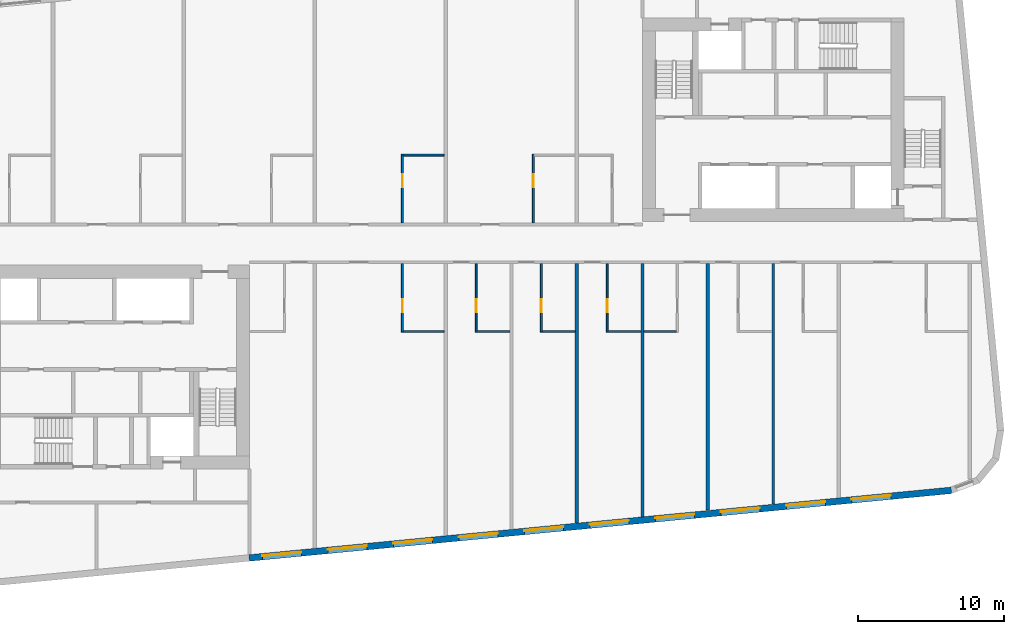
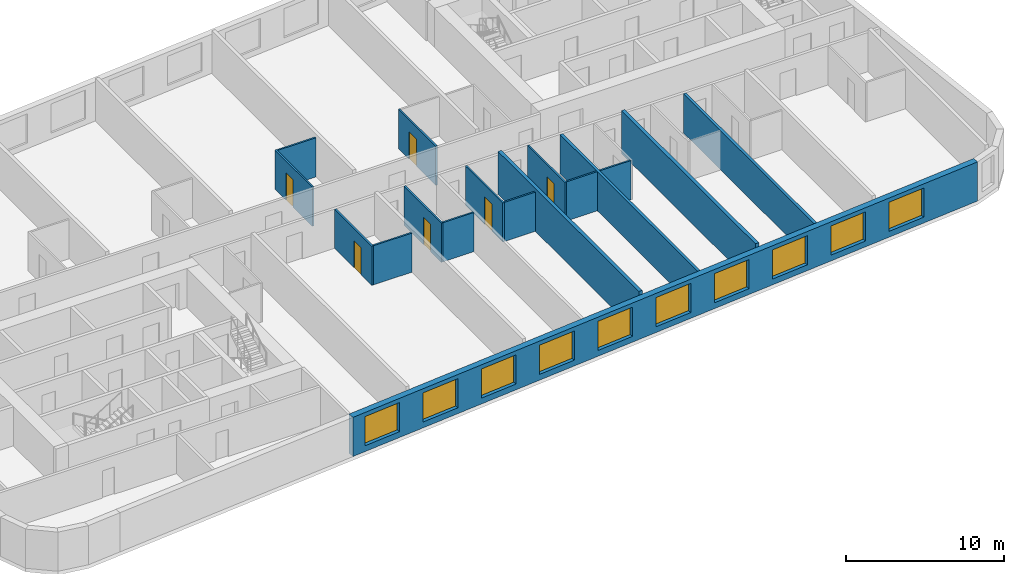
# One storey, part 4 of 11: 17 walls, 10 windows, 6 doors, 16 openings.
"""IFC4 building model written with IfcOpenShell, lengths in metres."""

from ifc_helpers import new_model, si_unit, direction, frame, frame_2d, origin, place, context, subcontext, project, spatial, rectangle, extrude, material, layer, layer_set, type_object, element, fill, save


model = new_model("IFC4")

# Units and contexts
model_context = context("Model", 3, precision=1e-05, world=origin(), true_north=direction((0.0, 1.0)))
body_context = subcontext(model_context, "Body", "Model", "MODEL_VIEW")
ifc_project = project(units=[si_unit("LENGTHUNIT", "METRE"), si_unit("AREAUNIT", "SQUARE_METRE"), si_unit("VOLUMEUNIT", "CUBIC_METRE"), si_unit("PLANEANGLEUNIT", "RADIAN"), si_unit("MASSUNIT", "GRAM", prefix="KILO")], contexts=[model_context])

# Site, building, storey
site_placement = place(None, origin())
site = spatial("IfcSite", under=ifc_project, at=site_placement, CompositionType="ELEMENT")
building_placement = place(site_placement, origin())
building = spatial("IfcBuilding", under=site, at=building_placement, Name="Kajstack Hotel Tower", CompositionType="ELEMENT")
storey_placement = place(building_placement, frame((0.0, 0.0, 281.699951171875)))
storey = spatial("IfcBuildingStorey", under=building, at=storey_placement, Name="L70", CompositionType="ELEMENT", Elevation=281.699951171875)

# Walls
ifc_material_1 = material(Name="Twin-frame gypsum board on steel studs, mineral wool", Category="steel")
ifc_layer_1 = layer(ifc_material_1, 0.199951171875)
ifc_layer_set_1 = layer_set([ifc_layer_1], Name="Demising wall 200")
wall_type_1 = type_object("IfcWallType", Name="Demising wall 200", PredefinedType="PARTITIONING", material=ifc_layer_set_1)
wall_1_placement = place(storey_placement, frame((13.5, -18.7958984375, 0.0), z_axis=(0.0, 0.0, 1.0), x_axis=(0.0, 1.0, 0.0)))
element("IfcWall", 1, at=wall_1_placement, inside=storey, type_object=wall_type_1, Name="G-wall-L70-028", PredefinedType="PARTITIONING", context=body_context, shape_type="SweptSolid", body=[
    extrude(rectangle(XDim=17.39599609375, YDim=0.199951171875, at=frame_2d((8.697998046875, 0.0))), origin(), (0.0, 0.0, 1.0), 3.02001953125),
])
wall_2_placement = place(storey_placement, frame((22.5, -17.928955078125, 0.0), z_axis=(0.0, 0.0, 1.0), x_axis=(0.0, 1.0, 0.0)))
element("IfcWall", 2, at=wall_2_placement, inside=storey, type_object=wall_type_1, Name="G-wall-L70-033", PredefinedType="PARTITIONING", context=body_context, shape_type="SweptSolid", body=[
    extrude(rectangle(XDim=16.529052734375, YDim=0.199951171875, at=frame_2d((8.2646484375, 0.0))), origin(), (0.0, 0.0, 1.0), 3.02001953125),
])

# Wall, openings, windows
ifc_material_2 = material(Name="Terracotta-faced brick masonry", Category="masonry")
ifc_layer_2 = layer(ifc_material_2, 0.449951171875)
ifc_layer_set_2 = layer_set([ifc_layer_2], Name="EW-TERRA")
wall_type_2 = type_object("IfcWallType", Name="EW-TERRA", PredefinedType="SOLIDWALL", material=ifc_layer_set_2)
wall_3_placement = place(storey_placement, frame((-13.521484375, -21.6240234375, 0.0), z_axis=(0.0, 0.0, 1.0), x_axis=(0.995396186218, 0.095845878695, 0.0)))
wall_3 = element("IfcWall", 3, at=wall_3_placement, inside=storey, type_object=wall_type_2, Name="E-wall-L70-04-02", PredefinedType="SOLIDWALL", context=body_context, shape_type="SweptSolid", body=[
    extrude(rectangle(XDim=48.481201171875, YDim=0.449951171875, at=frame_2d((24.24072265625, 0.0))), origin(), (0.0, 0.0, 1.0), 3.02001953125),
])
opening_1_placement = place(wall_3_placement, frame((0.910400390625, 0.0, 0.449951171875)))
opening_1 = element("IfcOpeningElement", 4, at=opening_1_placement, cuts=wall_3, Name="Opening W1", PredefinedType="OPENING", context=body_context, shape_type="SweptSolid", body=[
    extrude(rectangle(XDim=2.699951171875, YDim=2.25, at=frame_2d((1.35009765625, 1.125))), frame((0.0, 0.23486328125, 0.0), z_axis=(0.0, -1.0, 0.0), x_axis=(1.0, 0.0, 0.0)), (0.0, 0.0, 1.0), 0.469970703125),
])
opening_2_placement = place(wall_3_placement, frame((5.43115234375, 0.0, 0.449951171875)))
opening_2 = element("IfcOpeningElement", 5, at=opening_2_placement, cuts=wall_3, Name="Opening W1", PredefinedType="OPENING", context=body_context, shape_type="SweptSolid", body=[
    extrude(rectangle(XDim=2.699951171875, YDim=2.25, at=frame_2d((1.35009765625, 1.125))), frame((0.0, 0.23486328125, 0.0), z_axis=(0.0, -1.0, 0.0), x_axis=(1.0, 0.0, 0.0)), (0.0, 0.0, 1.0), 0.469970703125),
])
opening_3_placement = place(wall_3_placement, frame((9.951904296875, 0.0, 0.449951171875)))
opening_3 = element("IfcOpeningElement", 6, at=opening_3_placement, cuts=wall_3, Name="Opening W1", PredefinedType="OPENING", context=body_context, shape_type="SweptSolid", body=[
    extrude(rectangle(XDim=2.699951171875, YDim=2.25, at=frame_2d((1.35009765625, 1.125))), frame((0.0, 0.23486328125, 0.0), z_axis=(0.0, -1.0, 0.0), x_axis=(1.0, 0.0, 0.0)), (0.0, 0.0, 1.0), 0.469970703125),
])
opening_4_placement = place(wall_3_placement, frame((14.472900390625, 0.0, 0.449951171875)))
opening_4 = element("IfcOpeningElement", 7, at=opening_4_placement, cuts=wall_3, Name="Opening W1", PredefinedType="OPENING", context=body_context, shape_type="SweptSolid", body=[
    extrude(rectangle(XDim=2.699951171875, YDim=2.25, at=frame_2d((1.35009765625, 1.125))), frame((0.0, 0.23486328125, 0.0), z_axis=(0.0, -1.0, 0.0), x_axis=(1.0, 0.0, 0.0)), (0.0, 0.0, 1.0), 0.469970703125),
])
opening_5_placement = place(wall_3_placement, frame((18.99365234375, 0.0, 0.449951171875)))
opening_5 = element("IfcOpeningElement", 8, at=opening_5_placement, cuts=wall_3, Name="Opening W1", PredefinedType="OPENING", context=body_context, shape_type="SweptSolid", body=[
    extrude(rectangle(XDim=2.699951171875, YDim=2.25, at=frame_2d((1.35009765625, 1.125))), frame((0.0, 0.23486328125, 0.0), z_axis=(0.0, -1.0, 0.0), x_axis=(1.0, 0.0, 0.0)), (0.0, 0.0, 1.0), 0.469970703125),
])
opening_6_placement = place(wall_3_placement, frame((23.514404296875, 0.0, 0.449951171875)))
opening_6 = element("IfcOpeningElement", 9, at=opening_6_placement, cuts=wall_3, Name="Opening W1", PredefinedType="OPENING", context=body_context, shape_type="SweptSolid", body=[
    extrude(rectangle(XDim=2.699951171875, YDim=2.25, at=frame_2d((1.35009765625, 1.125))), frame((0.0, 0.23486328125, 0.0), z_axis=(0.0, -1.0, 0.0), x_axis=(1.0, 0.0, 0.0)), (0.0, 0.0, 1.0), 0.469970703125),
])
opening_7_placement = place(wall_3_placement, frame((28.03515625, 0.0, 0.449951171875)))
opening_7 = element("IfcOpeningElement", 10, at=opening_7_placement, cuts=wall_3, Name="Opening W1", PredefinedType="OPENING", context=body_context, shape_type="SweptSolid", body=[
    extrude(rectangle(XDim=2.699951171875, YDim=2.25, at=frame_2d((1.35009765625, 1.125))), frame((0.0, 0.23486328125, 0.0), z_axis=(0.0, -1.0, 0.0), x_axis=(1.0, 0.0, 0.0)), (0.0, 0.0, 1.0), 0.469970703125),
])
opening_8_placement = place(wall_3_placement, frame((32.55615234375, 0.0, 0.449951171875)))
opening_8 = element("IfcOpeningElement", 11, at=opening_8_placement, cuts=wall_3, Name="Opening W1", PredefinedType="OPENING", context=body_context, shape_type="SweptSolid", body=[
    extrude(rectangle(XDim=2.699951171875, YDim=2.25, at=frame_2d((1.35009765625, 1.125))), frame((0.0, 0.23486328125, 0.0), z_axis=(0.0, -1.0, 0.0), x_axis=(1.0, 0.0, 0.0)), (0.0, 0.0, 1.0), 0.469970703125),
])
opening_9_placement = place(wall_3_placement, frame((37.076904296875, 0.0, 0.449951171875)))
opening_9 = element("IfcOpeningElement", 12, at=opening_9_placement, cuts=wall_3, Name="Opening W1", PredefinedType="OPENING", context=body_context, shape_type="SweptSolid", body=[
    extrude(rectangle(XDim=2.699951171875, YDim=2.25, at=frame_2d((1.35009765625, 1.125))), frame((0.0, 0.23486328125, 0.0), z_axis=(0.0, -1.0, 0.0), x_axis=(1.0, 0.0, 0.0)), (0.0, 0.0, 1.0), 0.469970703125),
])
opening_10_placement = place(wall_3_placement, frame((41.59765625, 0.0, 0.449951171875)))
opening_10 = element("IfcOpeningElement", 13, at=opening_10_placement, cuts=wall_3, Name="Opening W1", PredefinedType="OPENING", context=body_context, shape_type="SweptSolid", body=[
    extrude(rectangle(XDim=2.699951171875, YDim=2.25, at=frame_2d((1.35009765625, 1.125))), frame((0.0, 0.23486328125, 0.0), z_axis=(0.0, -1.0, 0.0), x_axis=(1.0, 0.0, 0.0)), (0.0, 0.0, 1.0), 0.469970703125),
])
ifc_material_3 = material(Name="Timber-aluminium window, triple glazed", Category="wood")
window_type = type_object("IfcWindowType", Name="WG1", PartitioningType="SINGLE_PANEL", PredefinedType="WINDOW", material=ifc_material_3)
window_1_placement = place(opening_1_placement, origin())
window_1 = element("IfcWindow", 14, at=window_1_placement, inside=storey, type_object=window_type, Name="Window W1 L70-04", OverallHeight=2.25, OverallWidth=2.699951171875, PartitioningType="SINGLE_PANEL", PredefinedType="WINDOW", context=body_context, shape_type="SweptSolid", body=[
    extrude(rectangle(XDim=2.699951171875, YDim=2.25, at=frame_2d((1.35009765625, 1.125))), frame((0.0, 0.090087890625, 0.0), z_axis=(0.0, -1.0, 0.0), x_axis=(1.0, 0.0, 0.0)), (0.0, 0.0, 1.0), 0.06005859375),
])
fill(opening_1, window_1)
window_2_placement = place(opening_2_placement, origin())
window_2 = element("IfcWindow", 15, at=window_2_placement, inside=storey, type_object=window_type, Name="Window W1 L70-04", OverallHeight=2.25, OverallWidth=2.699951171875, PartitioningType="SINGLE_PANEL", PredefinedType="WINDOW", context=body_context, shape_type="SweptSolid", body=[
    extrude(rectangle(XDim=2.699951171875, YDim=2.25, at=frame_2d((1.35009765625, 1.125))), frame((0.0, 0.090087890625, 0.0), z_axis=(0.0, -1.0, 0.0), x_axis=(1.0, 0.0, 0.0)), (0.0, 0.0, 1.0), 0.06005859375),
])
fill(opening_2, window_2)
window_3_placement = place(opening_3_placement, origin())
window_3 = element("IfcWindow", 16, at=window_3_placement, inside=storey, type_object=window_type, Name="Window W1 L70-04", OverallHeight=2.25, OverallWidth=2.699951171875, PartitioningType="SINGLE_PANEL", PredefinedType="WINDOW", context=body_context, shape_type="SweptSolid", body=[
    extrude(rectangle(XDim=2.699951171875, YDim=2.25, at=frame_2d((1.35009765625, 1.125))), frame((0.0, 0.090087890625, 0.0), z_axis=(0.0, -1.0, 0.0), x_axis=(1.0, 0.0, 0.0)), (0.0, 0.0, 1.0), 0.06005859375),
])
fill(opening_3, window_3)
window_4_placement = place(opening_4_placement, origin())
window_4 = element("IfcWindow", 17, at=window_4_placement, inside=storey, type_object=window_type, Name="Window W1 L70-04", OverallHeight=2.25, OverallWidth=2.699951171875, PartitioningType="SINGLE_PANEL", PredefinedType="WINDOW", context=body_context, shape_type="SweptSolid", body=[
    extrude(rectangle(XDim=2.699951171875, YDim=2.25, at=frame_2d((1.35009765625, 1.125))), frame((0.0, 0.090087890625, 0.0), z_axis=(0.0, -1.0, 0.0), x_axis=(1.0, 0.0, 0.0)), (0.0, 0.0, 1.0), 0.06005859375),
])
fill(opening_4, window_4)
window_5_placement = place(opening_5_placement, origin())
window_5 = element("IfcWindow", 18, at=window_5_placement, inside=storey, type_object=window_type, Name="Window W1 L70-04", OverallHeight=2.25, OverallWidth=2.699951171875, PartitioningType="SINGLE_PANEL", PredefinedType="WINDOW", context=body_context, shape_type="SweptSolid", body=[
    extrude(rectangle(XDim=2.699951171875, YDim=2.25, at=frame_2d((1.35009765625, 1.125))), frame((0.0, 0.090087890625, 0.0), z_axis=(0.0, -1.0, 0.0), x_axis=(1.0, 0.0, 0.0)), (0.0, 0.0, 1.0), 0.06005859375),
])
fill(opening_5, window_5)
window_6_placement = place(opening_6_placement, origin())
window_6 = element("IfcWindow", 19, at=window_6_placement, inside=storey, type_object=window_type, Name="Window W1 L70-04", OverallHeight=2.25, OverallWidth=2.699951171875, PartitioningType="SINGLE_PANEL", PredefinedType="WINDOW", context=body_context, shape_type="SweptSolid", body=[
    extrude(rectangle(XDim=2.699951171875, YDim=2.25, at=frame_2d((1.35009765625, 1.125))), frame((0.0, 0.090087890625, 0.0), z_axis=(0.0, -1.0, 0.0), x_axis=(1.0, 0.0, 0.0)), (0.0, 0.0, 1.0), 0.06005859375),
])
fill(opening_6, window_6)
window_7_placement = place(opening_7_placement, origin())
window_7 = element("IfcWindow", 20, at=window_7_placement, inside=storey, type_object=window_type, Name="Window W1 L70-04", OverallHeight=2.25, OverallWidth=2.699951171875, PartitioningType="SINGLE_PANEL", PredefinedType="WINDOW", context=body_context, shape_type="SweptSolid", body=[
    extrude(rectangle(XDim=2.699951171875, YDim=2.25, at=frame_2d((1.35009765625, 1.125))), frame((0.0, 0.090087890625, 0.0), z_axis=(0.0, -1.0, 0.0), x_axis=(1.0, 0.0, 0.0)), (0.0, 0.0, 1.0), 0.06005859375),
])
fill(opening_7, window_7)
window_8_placement = place(opening_8_placement, origin())
window_8 = element("IfcWindow", 21, at=window_8_placement, inside=storey, type_object=window_type, Name="Window W1 L70-04", OverallHeight=2.25, OverallWidth=2.699951171875, PartitioningType="SINGLE_PANEL", PredefinedType="WINDOW", context=body_context, shape_type="SweptSolid", body=[
    extrude(rectangle(XDim=2.699951171875, YDim=2.25, at=frame_2d((1.35009765625, 1.125))), frame((0.0, 0.090087890625, 0.0), z_axis=(0.0, -1.0, 0.0), x_axis=(1.0, 0.0, 0.0)), (0.0, 0.0, 1.0), 0.06005859375),
])
fill(opening_8, window_8)
window_9_placement = place(opening_9_placement, origin())
window_9 = element("IfcWindow", 22, at=window_9_placement, inside=storey, type_object=window_type, Name="Window W1 L70-04", OverallHeight=2.25, OverallWidth=2.699951171875, PartitioningType="SINGLE_PANEL", PredefinedType="WINDOW", context=body_context, shape_type="SweptSolid", body=[
    extrude(rectangle(XDim=2.699951171875, YDim=2.25, at=frame_2d((1.35009765625, 1.125))), frame((0.0, 0.090087890625, 0.0), z_axis=(0.0, -1.0, 0.0), x_axis=(1.0, 0.0, 0.0)), (0.0, 0.0, 1.0), 0.06005859375),
])
fill(opening_9, window_9)
window_10_placement = place(opening_10_placement, origin())
window_10 = element("IfcWindow", 23, at=window_10_placement, inside=storey, type_object=window_type, Name="Window W1 L70-04", OverallHeight=2.25, OverallWidth=2.699951171875, PartitioningType="SINGLE_PANEL", PredefinedType="WINDOW", context=body_context, shape_type="SweptSolid", body=[
    extrude(rectangle(XDim=2.699951171875, YDim=2.25, at=frame_2d((1.35009765625, 1.125))), frame((0.0, 0.090087890625, 0.0), z_axis=(0.0, -1.0, 0.0), x_axis=(1.0, 0.0, 0.0)), (0.0, 0.0, 1.0), 0.06005859375),
])
fill(opening_10, window_10)

# Wall, opening, door
ifc_material_4 = material(Name="Gypsum board and tiled backer on steel studs", Category="steel")
ifc_layer_3 = layer(ifc_material_4, 0.125)
ifc_layer_set_3 = layer_set([ifc_layer_3], Name="En-suite wall 125")
wall_type_3 = type_object("IfcWallType", Name="En-suite wall 125", PredefinedType="PARTITIONING", material=ifc_layer_set_3)
wall_4_placement = place(storey_placement, frame((-2.987060546875, 1.39990234375, 0.0), z_axis=(0.0, 0.0, 1.0), x_axis=(0.0, 1.0, 0.0)))
wall_4 = element("IfcWall", 24, at=wall_4_placement, inside=storey, type_object=wall_type_3, Name="G-wall-L70-012", PredefinedType="PARTITIONING", context=body_context, shape_type="SweptSolid", body=[
    extrude(rectangle(XDim=4.72509765625, YDim=0.125, at=frame_2d((2.362548828125, 0.0))), origin(), (0.0, 0.0, 1.0), 3.02001953125),
])
opening_11_placement = place(wall_4_placement, frame((2.449951171875, 0.0, 0.0)))
opening_11 = element("IfcOpeningElement", 25, at=opening_11_placement, cuts=wall_4, Name="Opening 70010", PredefinedType="OPENING", context=body_context, shape_type="SweptSolid", body=[
    extrude(rectangle(XDim=0.89990234375, YDim=2.10009765625, at=frame_2d((0.449951171875, 1.050048828125))), frame((0.0, 0.072509765625, 0.0), z_axis=(0.0, -1.0, 0.0), x_axis=(1.0, 0.0, 0.0)), (0.0, 0.0, 1.0), 0.14501953125),
])
ifc_material_5 = material(Name="Painted timber door leaf", Category="wood")
door_type = type_object("IfcDoorType", Name="Room door 900", OperationType="SINGLE_SWING_LEFT", PredefinedType="DOOR", material=ifc_material_5)
door_1_placement = place(opening_11_placement, origin())
door_1 = element("IfcDoor", 26, at=door_1_placement, inside=storey, type_object=door_type, Name="G-door-L70-10", OperationType="SINGLE_SWING_LEFT", OverallHeight=2.10009765625, OverallWidth=0.89990234375, PredefinedType="DOOR", context=body_context, shape_type="SweptSolid", body=[
    extrude(rectangle(XDim=0.89990234375, YDim=2.10009765625, at=frame_2d((0.449951171875, 1.050048828125))), frame((0.0, 0.02490234375, 0.0), z_axis=(0.0, -1.0, 0.0), x_axis=(1.0, 0.0, 0.0)), (0.0, 0.0, 1.0), 0.050048828125),
])
fill(opening_11, door_1)

# Wall
wall_5_placement = place(storey_placement, frame((-2.925048828125, 6.06201171875, 0.0), z_axis=(0.0, 0.0, 1.0), x_axis=(1.0, 0.0, 0.0)))
element("IfcWall", 27, at=wall_5_placement, inside=storey, type_object=wall_type_3, Name="G-wall-L70-013", PredefinedType="PARTITIONING", context=body_context, shape_type="SweptSolid", body=[
    extrude(rectangle(XDim=2.800048828125, YDim=0.125, at=frame_2d((1.39990234375, 0.0))), origin(), (0.0, 0.0, 1.0), 3.02001953125),
])

# Wall, opening, door
wall_6_placement = place(storey_placement, frame((6.012939453125, 1.39990234375, 0.0), z_axis=(0.0, 0.0, 1.0), x_axis=(0.0, 1.0, 0.0)))
wall_6 = element("IfcWall", 28, at=wall_6_placement, inside=storey, type_object=wall_type_3, Name="G-wall-L70-014", PredefinedType="PARTITIONING", context=body_context, shape_type="SweptSolid", body=[
    extrude(rectangle(XDim=4.72509765625, YDim=0.125, at=frame_2d((2.362548828125, 0.0))), origin(), (0.0, 0.0, 1.0), 3.02001953125),
])
opening_12_placement = place(wall_6_placement, frame((2.449951171875, 0.0, 0.0)))
opening_12 = element("IfcOpeningElement", 29, at=opening_12_placement, cuts=wall_6, Name="Opening 70012", PredefinedType="OPENING", context=body_context, shape_type="SweptSolid", body=[
    extrude(rectangle(XDim=0.89990234375, YDim=2.10009765625, at=frame_2d((0.449951171875, 1.050048828125))), frame((0.0, 0.072509765625, 0.0), z_axis=(0.0, -1.0, 0.0), x_axis=(1.0, 0.0, 0.0)), (0.0, 0.0, 1.0), 0.14501953125),
])
door_2_placement = place(opening_12_placement, origin())
door_2 = element("IfcDoor", 30, at=door_2_placement, inside=storey, type_object=door_type, Name="G-door-L70-12", OperationType="SINGLE_SWING_LEFT", OverallHeight=2.10009765625, OverallWidth=0.89990234375, PredefinedType="DOOR", context=body_context, shape_type="SweptSolid", body=[
    extrude(rectangle(XDim=0.89990234375, YDim=2.10009765625, at=frame_2d((0.449951171875, 1.050048828125))), frame((0.0, 0.02490234375, 0.0), z_axis=(0.0, -1.0, 0.0), x_axis=(1.0, 0.0, 0.0)), (0.0, 0.0, 1.0), 0.050048828125),
])
fill(opening_12, door_2)

wall_7_placement = place(storey_placement, frame((-2.987060546875, -6.125, 0.0), z_axis=(0.0, 0.0, 1.0), x_axis=(0.0, 1.0, 0.0)))
wall_7 = element("IfcWall", 31, at=wall_7_placement, inside=storey, type_object=wall_type_3, Name="G-wall-L70-021", PredefinedType="PARTITIONING", context=body_context, shape_type="SweptSolid", body=[
    extrude(rectangle(XDim=4.72509765625, YDim=0.125, at=frame_2d((2.362548828125, 0.0))), origin(), (0.0, 0.0, 1.0), 3.02001953125),
])
opening_13_placement = place(wall_7_placement, frame((1.375, 0.0, 0.0)))
opening_13 = element("IfcOpeningElement", 32, at=opening_13_placement, cuts=wall_7, Name="Opening 70018", PredefinedType="OPENING", context=body_context, shape_type="SweptSolid", body=[
    extrude(rectangle(XDim=0.89990234375, YDim=2.10009765625, at=frame_2d((0.449951171875, 1.050048828125))), frame((0.0, 0.072509765625, 0.0), z_axis=(0.0, -1.0, 0.0), x_axis=(1.0, 0.0, 0.0)), (0.0, 0.0, 1.0), 0.14501953125),
])
door_3_placement = place(opening_13_placement, origin())
door_3 = element("IfcDoor", 33, at=door_3_placement, inside=storey, type_object=door_type, Name="G-door-L70-18", OperationType="SINGLE_SWING_RIGHT", OverallHeight=2.10009765625, OverallWidth=0.89990234375, PredefinedType="DOOR", context=body_context, shape_type="SweptSolid", body=[
    extrude(rectangle(XDim=0.89990234375, YDim=2.10009765625, at=frame_2d((0.449951171875, 1.050048828125))), frame((0.0, 0.02490234375, 0.0), z_axis=(0.0, -1.0, 0.0), x_axis=(1.0, 0.0, 0.0)), (0.0, 0.0, 1.0), 0.050048828125),
])
fill(opening_13, door_3)

# Wall
wall_8_placement = place(storey_placement, frame((-2.925048828125, -6.06201171875, 0.0), z_axis=(0.0, 0.0, 1.0), x_axis=(1.0, 0.0, 0.0)))
element("IfcWall", 34, at=wall_8_placement, inside=storey, type_object=wall_type_3, Name="G-wall-L70-022", PredefinedType="PARTITIONING", context=body_context, shape_type="SweptSolid", body=[
    extrude(rectangle(XDim=2.800048828125, YDim=0.125, at=frame_2d((1.39990234375, 0.0))), origin(), (0.0, 0.0, 1.0), 3.02001953125),
])

# Wall, opening, door
wall_9_placement = place(storey_placement, frame((2.0869140625, -6.125, 0.0), z_axis=(0.0, 0.0, 1.0), x_axis=(0.0, 1.0, 0.0)))
wall_9 = element("IfcWall", 35, at=wall_9_placement, inside=storey, type_object=wall_type_3, Name="G-wall-L70-024", PredefinedType="PARTITIONING", context=body_context, shape_type="SweptSolid", body=[
    extrude(rectangle(XDim=4.72509765625, YDim=0.125, at=frame_2d((2.362548828125, 0.0))), origin(), (0.0, 0.0, 1.0), 3.02001953125),
])
opening_14_placement = place(wall_9_placement, frame((1.375, 0.0, 0.0)))
opening_14 = element("IfcOpeningElement", 36, at=opening_14_placement, cuts=wall_9, Name="Opening 70020", PredefinedType="OPENING", context=body_context, shape_type="SweptSolid", body=[
    extrude(rectangle(XDim=0.89990234375, YDim=2.10009765625, at=frame_2d((0.449951171875, 1.050048828125))), frame((0.0, 0.072509765625, 0.0), z_axis=(0.0, -1.0, 0.0), x_axis=(1.0, 0.0, 0.0)), (0.0, 0.0, 1.0), 0.14501953125),
])
door_4_placement = place(opening_14_placement, origin())
door_4 = element("IfcDoor", 37, at=door_4_placement, inside=storey, type_object=door_type, Name="G-door-L70-20", OperationType="SINGLE_SWING_RIGHT", OverallHeight=2.10009765625, OverallWidth=0.89990234375, PredefinedType="DOOR", context=body_context, shape_type="SweptSolid", body=[
    extrude(rectangle(XDim=0.89990234375, YDim=2.10009765625, at=frame_2d((0.449951171875, 1.050048828125))), frame((0.0, 0.02490234375, 0.0), z_axis=(0.0, -1.0, 0.0), x_axis=(1.0, 0.0, 0.0)), (0.0, 0.0, 1.0), 0.050048828125),
])
fill(opening_14, door_4)

# Wall
wall_10_placement = place(storey_placement, frame((2.14990234375, -6.06201171875, 0.0), z_axis=(0.0, 0.0, 1.0), x_axis=(1.0, 0.0, 0.0)))
element("IfcWall", 38, at=wall_10_placement, inside=storey, type_object=wall_type_3, Name="G-wall-L70-025", PredefinedType="PARTITIONING", context=body_context, shape_type="SweptSolid", body=[
    extrude(rectangle(XDim=2.25, YDim=0.125, at=frame_2d((1.125, 0.0))), origin(), (0.0, 0.0, 1.0), 3.02001953125),
])

# Wall, opening, door
wall_11_placement = place(storey_placement, frame((6.56201171875, -6.125, 0.0), z_axis=(0.0, 0.0, 1.0), x_axis=(0.0, 1.0, 0.0)))
wall_11 = element("IfcWall", 39, at=wall_11_placement, inside=storey, type_object=wall_type_3, Name="G-wall-L70-026", PredefinedType="PARTITIONING", context=body_context, shape_type="SweptSolid", body=[
    extrude(rectangle(XDim=4.72509765625, YDim=0.125, at=frame_2d((2.362548828125, 0.0))), origin(), (0.0, 0.0, 1.0), 3.02001953125),
])
opening_15_placement = place(wall_11_placement, frame((1.375, 0.0, 0.0)))
opening_15 = element("IfcOpeningElement", 40, at=opening_15_placement, cuts=wall_11, Name="Opening 70022", PredefinedType="OPENING", context=body_context, shape_type="SweptSolid", body=[
    extrude(rectangle(XDim=0.89990234375, YDim=2.10009765625, at=frame_2d((0.449951171875, 1.050048828125))), frame((0.0, 0.072509765625, 0.0), z_axis=(0.0, -1.0, 0.0), x_axis=(1.0, 0.0, 0.0)), (0.0, 0.0, 1.0), 0.14501953125),
])
door_5_placement = place(opening_15_placement, origin())
door_5 = element("IfcDoor", 41, at=door_5_placement, inside=storey, type_object=door_type, Name="G-door-L70-22", OperationType="SINGLE_SWING_RIGHT", OverallHeight=2.10009765625, OverallWidth=0.89990234375, PredefinedType="DOOR", context=body_context, shape_type="SweptSolid", body=[
    extrude(rectangle(XDim=0.89990234375, YDim=2.10009765625, at=frame_2d((0.449951171875, 1.050048828125))), frame((0.0, 0.02490234375, 0.0), z_axis=(0.0, -1.0, 0.0), x_axis=(1.0, 0.0, 0.0)), (0.0, 0.0, 1.0), 0.050048828125),
])
fill(opening_15, door_5)

# Wall
wall_12_placement = place(storey_placement, frame((6.625, -6.06201171875, 0.0), z_axis=(0.0, 0.0, 1.0), x_axis=(1.0, 0.0, 0.0)))
element("IfcWall", 42, at=wall_12_placement, inside=storey, type_object=wall_type_3, Name="G-wall-L70-027", PredefinedType="PARTITIONING", context=body_context, shape_type="SweptSolid", body=[
    extrude(rectangle(XDim=2.25, YDim=0.125, at=frame_2d((1.125, 0.0))), origin(), (0.0, 0.0, 1.0), 3.02001953125),
])

# Wall, opening, door
wall_13_placement = place(storey_placement, frame((11.087890625, -6.125, 0.0), z_axis=(0.0, 0.0, 1.0), x_axis=(0.0, 1.0, 0.0)))
wall_13 = element("IfcWall", 43, at=wall_13_placement, inside=storey, type_object=wall_type_3, Name="G-wall-L70-029", PredefinedType="PARTITIONING", context=body_context, shape_type="SweptSolid", body=[
    extrude(rectangle(XDim=4.72509765625, YDim=0.125, at=frame_2d((2.362548828125, 0.0))), origin(), (0.0, 0.0, 1.0), 3.02001953125),
])
opening_16_placement = place(wall_13_placement, frame((1.375, 0.0, 0.0)))
opening_16 = element("IfcOpeningElement", 44, at=opening_16_placement, cuts=wall_13, Name="Opening 70024", PredefinedType="OPENING", context=body_context, shape_type="SweptSolid", body=[
    extrude(rectangle(XDim=0.89990234375, YDim=2.10009765625, at=frame_2d((0.449951171875, 1.050048828125))), frame((0.0, 0.072509765625, 0.0), z_axis=(0.0, -1.0, 0.0), x_axis=(1.0, 0.0, 0.0)), (0.0, 0.0, 1.0), 0.14501953125),
])
door_6_placement = place(opening_16_placement, origin())
door_6 = element("IfcDoor", 45, at=door_6_placement, inside=storey, type_object=door_type, Name="G-door-L70-24", OperationType="SINGLE_SWING_RIGHT", OverallHeight=2.10009765625, OverallWidth=0.89990234375, PredefinedType="DOOR", context=body_context, shape_type="SweptSolid", body=[
    extrude(rectangle(XDim=0.89990234375, YDim=2.10009765625, at=frame_2d((0.449951171875, 1.050048828125))), frame((0.0, 0.02490234375, 0.0), z_axis=(0.0, -1.0, 0.0), x_axis=(1.0, 0.0, 0.0)), (0.0, 0.0, 1.0), 0.050048828125),
])
fill(opening_16, door_6)

# Walls
for number, where, z_axis, x_axis, name in (
    (46, (11.14990234375, -6.06201171875, 0.0), (0.0, 0.0, 1.0), (1.0, 0.0, 0.0), "G-wall-L70-030"),
    (47, (13.60009765625, -6.06201171875, 0.0), (0.0, 0.0, 1.0), (1.0, 0.0, 0.0), "G-wall-L70-032"),
):
    element("IfcWall", number, at=place(storey_placement, frame(where, z_axis=z_axis, x_axis=x_axis)), inside=storey, type_object=wall_type_3, Name=name, PredefinedType="PARTITIONING", context=body_context, shape_type="SweptSolid", body=[
        extrude(rectangle(XDim=2.25, YDim=0.125, at=frame_2d((1.125, 0.0))), origin(), (0.0, 0.0, 1.0), 3.02001953125),
    ])
ifc_material_6 = material(Name="Concrete C40/50", Category="concrete")
ifc_layer_4 = layer(ifc_material_6, 0.25)
ifc_layer_set_4 = layer_set([ifc_layer_4], Name="RC cross wall 250 C40/50")
wall_type_4 = type_object("IfcWallType", Name="RC cross wall 250 C40/50", PredefinedType="SHEAR", material=ifc_layer_set_4)
wall_14_placement = place(storey_placement, frame((9.0, -19.207275390625, 0.0), z_axis=(0.0, 0.0, 1.0), x_axis=(0.0, 1.0, 0.0)))
element("IfcWall", 48, at=wall_14_placement, inside=storey, type_object=wall_type_4, Name="S-wall-L70-08", PredefinedType="SHEAR", context=body_context, shape_type="SweptSolid", body=[
    extrude(rectangle(XDim=17.807373046875, YDim=0.25, at=frame_2d((8.90380859375, 0.0))), origin(), (0.0, 0.0, 1.0), 3.300048828125),
])
wall_15_placement = place(storey_placement, frame((18.0, -18.3408203125, 0.0), z_axis=(0.0, 0.0, 1.0), x_axis=(0.0, 1.0, 0.0)))
element("IfcWall", 49, at=wall_15_placement, inside=storey, type_object=wall_type_4, Name="S-wall-L70-10", PredefinedType="SHEAR", context=body_context, shape_type="SweptSolid", body=[
    extrude(rectangle(XDim=16.94091796875, YDim=0.25, at=frame_2d((8.470458984375, 0.0))), origin(), (0.0, 0.0, 1.0), 3.300048828125),
])

save(model, "model.ifc")
